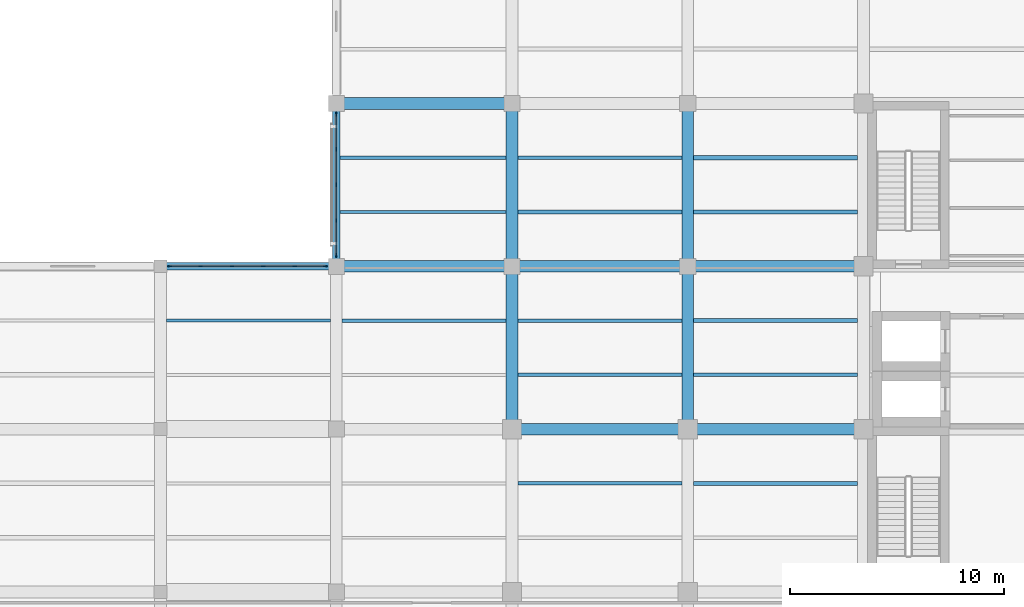
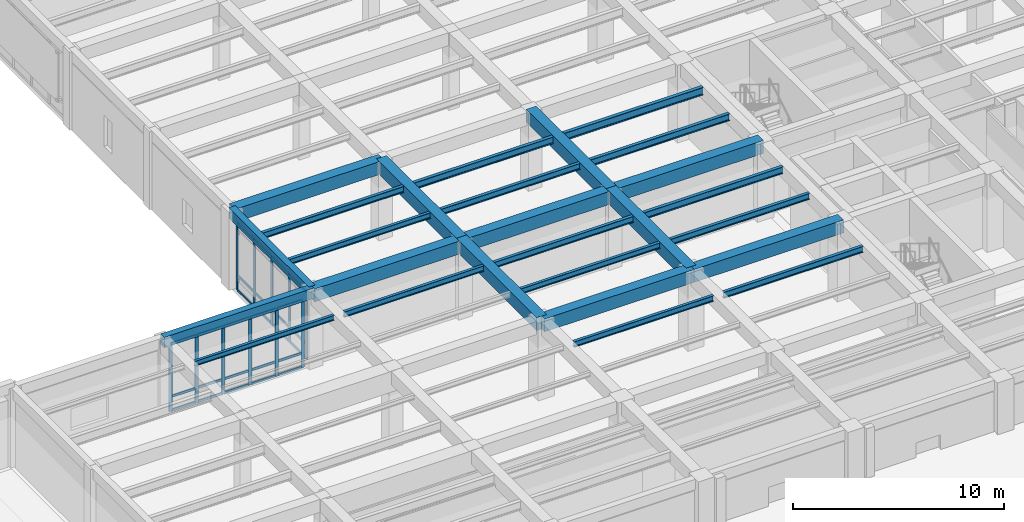
# One storey, part 10 of 57: 38 members, 26 beams, 2 elements without a shape of their own.
"""IFC4 building model written with IfcOpenShell, lengths in metres."""

from ifc_helpers import new_model, si_unit, direction, frame, origin, origin_2d, place, context, subcontext, project, spatial, rectangle, i_section, extrude, material, material_profile, profile_set, type_object, element, aggregate, save


model = new_model("IFC4")

# Units and contexts
model_context = context("Model", 3, precision=1e-05, world=origin(), true_north=direction((0.0, 1.0)))
body_context = subcontext(model_context, "Body", "Model", "MODEL_VIEW")
ifc_project = project(units=[si_unit("LENGTHUNIT", "METRE"), si_unit("AREAUNIT", "SQUARE_METRE"), si_unit("VOLUMEUNIT", "CUBIC_METRE"), si_unit("PLANEANGLEUNIT", "RADIAN"), si_unit("MASSUNIT", "GRAM", prefix="KILO")], contexts=[model_context])

# Site, building, storey
site_placement = place(None, origin())
site = spatial("IfcSite", under=ifc_project, at=site_placement, CompositionType="ELEMENT")
building_placement = place(site_placement, origin())
building = spatial("IfcBuilding", under=site, at=building_placement, Name="Qandaris Square Conservatory and Botanical Centre", CompositionType="ELEMENT")
storey_placement = place(building_placement, frame((0.0, 0.0, 5.39990234375)))
storey = spatial("IfcBuildingStorey", under=building, at=storey_placement, Name="L01", CompositionType="ELEMENT", Elevation=5.39990234375)

# Beams
ifc_material_1 = material(Name="Steel S355", Category="steel")
ifc_material_profile_1 = material_profile(ifc_material_1, i_section(OverallWidth=0.18994140625, OverallDepth=0.449951171875, WebThickness=0.009521484375, FlangeThickness=0.0146484375, FilletRadius=0.02099609375, at=origin_2d()), Name="IPE 450")
ifc_profile_set_1 = profile_set([ifc_material_profile_1], Name="Steel S355")
beam_type_1 = type_object("IfcBeamType", Name="Composite Archive Joist IPE 450", PredefinedType="JOIST", material=ifc_profile_set_1)
beam_1_placement = place(storey_placement, frame((131.27490234375, 44.466796875, 4.28515625), z_axis=(1.0, 0.0, 0.0), x_axis=(0.0, 1.0, 0.0)))
element("IfcBeam", 1, at=beam_1_placement, inside=storey, type_object=beam_type_1, Name="L01 Composite Joist 1218", PredefinedType="JOIST", context=body_context, shape_type="SweptSolid", body=[
    extrude(i_section(OverallWidth=0.18994140625, OverallDepth=0.449951171875, WebThickness=0.009521484375, FlangeThickness=0.0146484375, FilletRadius=0.02099609375, at=origin_2d()), origin(), (0.0, 0.0, 1.0), 7.650146484375),
])
ifc_material_profile_2 = material_profile(ifc_material_1, i_section(OverallWidth=0.14990234375, OverallDepth=0.300048828125, WebThickness=0.007080078125, FlangeThickness=0.0107421875, FilletRadius=0.014892578125, at=origin_2d()), Name="IPE 300")
ifc_profile_set_2 = profile_set([ifc_material_profile_2], Name="Steel S355")
beam_type_2 = type_object("IfcBeamType", Name="Composite Lab Joist IPE 300", PredefinedType="JOIST", material=ifc_profile_set_2)
beam_2_placement = place(storey_placement, frame((106.675048828125, 36.86669921875, 4.360107421875), z_axis=(1.0, 0.0, 0.0), x_axis=(0.0, 1.0, 0.0)))
element("IfcBeam", 2, at=beam_2_placement, inside=storey, type_object=beam_type_2, Name="L01 Composite Joist 1166", PredefinedType="JOIST", context=body_context, shape_type="SweptSolid", body=[
    extrude(i_section(OverallWidth=0.14990234375, OverallDepth=0.300048828125, WebThickness=0.007080078125, FlangeThickness=0.0107421875, FilletRadius=0.014892578125, at=origin_2d()), origin(), (0.0, 0.0, 1.0), 7.64990234375),
])
ifc_material_profile_3 = material_profile(ifc_material_1, i_section(OverallWidth=0.159912109375, OverallDepth=0.330078125, WebThickness=0.007568359375, FlangeThickness=0.011474609375, FilletRadius=0.01806640625, at=origin_2d()), Name="IPE 330")
ifc_profile_set_3 = profile_set([ifc_material_profile_3], Name="Steel S355")
beam_type_3 = type_object("IfcBeamType", Name="Composite Lab Joist IPE 330", PredefinedType="JOIST", material=ifc_profile_set_3)
beam_3_placement = place(storey_placement, frame((114.875, 36.86669921875, 4.34521484375), z_axis=(1.0, 0.0, 0.0), x_axis=(0.0, 1.0, 0.0)))
element("IfcBeam", 3, at=beam_3_placement, inside=storey, type_object=beam_type_3, Name="L01 Composite Joist 1172", PredefinedType="JOIST", context=body_context, shape_type="SweptSolid", body=[
    extrude(i_section(OverallWidth=0.159912109375, OverallDepth=0.330078125, WebThickness=0.007568359375, FlangeThickness=0.011474609375, FilletRadius=0.01806640625, at=origin_2d()), origin(), (0.0, 0.0, 1.0), 7.64990234375),
])
beam_4_placement = place(storey_placement, frame((114.77490234375, 41.933349609375, 4.34521484375), z_axis=(1.0, 0.0, 0.0), x_axis=(0.0, 1.0, 0.0)))
element("IfcBeam", 4, at=beam_4_placement, inside=storey, type_object=beam_type_3, Name="L01 Composite Joist 1173", PredefinedType="JOIST", context=body_context, shape_type="SweptSolid", body=[
    extrude(i_section(OverallWidth=0.159912109375, OverallDepth=0.330078125, WebThickness=0.007568359375, FlangeThickness=0.011474609375, FilletRadius=0.01806640625, at=origin_2d()), origin(), (0.0, 0.0, 1.0), 7.75),
])
for number, where, z_axis, x_axis, name in (
    (5, (123.074951171875, 29.2666015625, 4.34521484375), (1.0, 0.0, 0.0), (0.0, 1.0, 0.0), "L01 Composite Joist 1192"),
    (6, (123.074951171875, 34.333251953125, 4.34521484375), (1.0, 0.0, 0.0), (0.0, 1.0, 0.0), "L01 Composite Joist 1193"),
):
    element("IfcBeam", number, at=place(storey_placement, frame(where, z_axis=z_axis, x_axis=x_axis)), inside=storey, type_object=beam_type_3, Name=name, PredefinedType="JOIST", context=body_context, shape_type="SweptSolid", body=[
        extrude(i_section(OverallWidth=0.159912109375, OverallDepth=0.330078125, WebThickness=0.007568359375, FlangeThickness=0.011474609375, FilletRadius=0.01806640625, at=origin_2d()), origin(), (0.0, 0.0, 1.0), 7.650146484375),
    ])
ifc_material_profile_4 = material_profile(ifc_material_1, i_section(OverallWidth=0.169921875, OverallDepth=0.360107421875, WebThickness=0.008056640625, FlangeThickness=0.0126953125, FilletRadius=0.01806640625, at=origin_2d()), Name="IPE 360")
ifc_profile_set_4 = profile_set([ifc_material_profile_4], Name="Steel S355")
beam_type_4 = type_object("IfcBeamType", Name="Composite Lab Joist IPE 360", PredefinedType="JOIST", material=ifc_profile_set_4)
beam_5_placement = place(storey_placement, frame((114.77490234375, 44.466796875, 4.330078125), z_axis=(1.0, 0.0, 0.0), x_axis=(0.0, 1.0, 0.0)))
element("IfcBeam", 7, at=beam_5_placement, inside=storey, type_object=beam_type_4, Name="L01 Composite Joist 1174", PredefinedType="JOIST", context=body_context, shape_type="SweptSolid", body=[
    extrude(i_section(OverallWidth=0.169921875, OverallDepth=0.360107421875, WebThickness=0.008056640625, FlangeThickness=0.0126953125, FilletRadius=0.01806640625, at=origin_2d()), origin(), (0.0, 0.0, 1.0), 7.75),
])
for number, where, z_axis, x_axis, name in (
    (8, (123.074951171875, 36.86669921875, 4.330078125), (1.0, 0.0, 0.0), (0.0, 1.0, 0.0), "L01 Composite Joist 1194"),
    (9, (123.074951171875, 41.933349609375, 4.330078125), (1.0, 0.0, 0.0), (0.0, 1.0, 0.0), "L01 Composite Joist 1195"),
    (10, (131.27490234375, 29.2666015625, 4.330078125), (1.0, 0.0, 0.0), (0.0, 1.0, 0.0), "L01 Composite Joist 1214"),
    (11, (131.27490234375, 34.333251953125, 4.330078125), (1.0, 0.0, 0.0), (0.0, 1.0, 0.0), "L01 Composite Joist 1215"),
):
    element("IfcBeam", number, at=place(storey_placement, frame(where, z_axis=z_axis, x_axis=x_axis)), inside=storey, type_object=beam_type_4, Name=name, PredefinedType="JOIST", context=body_context, shape_type="SweptSolid", body=[
        extrude(i_section(OverallWidth=0.169921875, OverallDepth=0.360107421875, WebThickness=0.008056640625, FlangeThickness=0.0126953125, FilletRadius=0.01806640625, at=origin_2d()), origin(), (0.0, 0.0, 1.0), 7.650146484375),
    ])
ifc_material_profile_5 = material_profile(ifc_material_1, i_section(OverallWidth=0.179931640625, OverallDepth=0.39990234375, WebThickness=0.008544921875, FlangeThickness=0.013427734375, FilletRadius=0.02099609375, at=origin_2d()), Name="IPE 400")
ifc_profile_set_5 = profile_set([ifc_material_profile_5], Name="Steel S355")
beam_type_5 = type_object("IfcBeamType", Name="Composite Plinth Joist IPE 400", PredefinedType="JOIST", material=ifc_profile_set_5)
for number, where, z_axis, x_axis, name in (
    (12, (123.074951171875, 44.466796875, 4.31005859375), (1.0, 0.0, 0.0), (0.0, 1.0, 0.0), "L01 Composite Joist 1196"),
    (13, (131.27490234375, 36.86669921875, 4.31005859375), (1.0, 0.0, 0.0), (0.0, 1.0, 0.0), "L01 Composite Joist 1216"),
    (14, (131.27490234375, 41.933349609375, 4.31005859375), (1.0, 0.0, 0.0), (0.0, 1.0, 0.0), "L01 Composite Joist 1217"),
):
    element("IfcBeam", number, at=place(storey_placement, frame(where, z_axis=z_axis, x_axis=x_axis)), inside=storey, type_object=beam_type_5, Name=name, PredefinedType="JOIST", context=body_context, shape_type="SweptSolid", body=[
        extrude(i_section(OverallWidth=0.179931640625, OverallDepth=0.39990234375, WebThickness=0.008544921875, FlangeThickness=0.013427734375, FilletRadius=0.02099609375, at=origin_2d()), origin(), (0.0, 0.0, 1.0), 7.650146484375),
    ])

# Curtain wall, members
ifc_material_2 = material(Name="Anodised Aluminium", Category="aluminium")
curtain_wall_type_1 = type_object("IfcCurtainWallType", Name="Unitised Curtain Wall CW-4-665x392", PredefinedType="USERDEFINED", material=ifc_material_2)
curtain_wall_1_placement = place(storey_placement, origin())
curtain_wall_1 = element("IfcCurtainWall", 15, at=curtain_wall_1_placement, inside=storey, type_object=curtain_wall_type_1, Name="Curtain Wall CW-TWR-L01-4-9", ObjectType="GLAZED CURTAIN WALL", PredefinedType="USERDEFINED")
ifc_material_profile_6 = material_profile(ifc_material_2, rectangle(XDim=0.06494140625, YDim=0.179931640625, at=origin_2d()), Name="ALU-MUL 65x180")
ifc_profile_set_6 = profile_set([ifc_material_profile_6], Name="Anodised Aluminium")
member_type_1 = type_object("IfcMemberType", Name="Curtain Wall Mullion 65x180", PredefinedType="MULLION", material=ifc_profile_set_6)
member_1_placement = place(storey_placement, frame((114.60009765625, 46.492431640625, 0.0), z_axis=(0.0, 0.0, 1.0), x_axis=(1.0, 0.0, 0.0)))
member_1 = element("IfcMember", 16, at=member_1_placement, type_object=member_type_1, Name="CW-4-665x392 mullion 1", PredefinedType="MULLION", context=body_context, shape_type="SweptSolid", body=[
    extrude(rectangle(XDim=0.06494140625, YDim=0.179931640625, at=origin_2d()), origin(), (0.0, 0.0, 1.0), 3.920166015625),
])
member_2_placement = place(storey_placement, frame((114.60009765625, 44.862548828125, 0.0), z_axis=(0.0, 0.0, 1.0), x_axis=(1.0, 0.0, 0.0)))
member_2 = element("IfcMember", 17, at=member_2_placement, type_object=member_type_1, Name="CW-4-665x392 mullion 2", PredefinedType="MULLION", context=body_context, shape_type="SweptSolid", body=[
    extrude(rectangle(XDim=0.06494140625, YDim=0.179931640625, at=origin_2d()), origin(), (0.0, 0.0, 1.0), 3.920166015625),
])
member_3_placement = place(storey_placement, frame((114.60009765625, 43.199951171875, 0.0), z_axis=(0.0, 0.0, 1.0), x_axis=(1.0, 0.0, 0.0)))
member_3 = element("IfcMember", 18, at=member_3_placement, type_object=member_type_1, Name="CW-4-665x392 mullion 3", PredefinedType="MULLION", context=body_context, shape_type="SweptSolid", body=[
    extrude(rectangle(XDim=0.06494140625, YDim=0.179931640625, at=origin_2d()), origin(), (0.0, 0.0, 1.0), 3.920166015625),
])
member_4_placement = place(storey_placement, frame((114.60009765625, 41.53759765625, 0.0), z_axis=(0.0, 0.0, 1.0), x_axis=(1.0, 0.0, 0.0)))
member_4 = element("IfcMember", 19, at=member_4_placement, type_object=member_type_1, Name="CW-4-665x392 mullion 4", PredefinedType="MULLION", context=body_context, shape_type="SweptSolid", body=[
    extrude(rectangle(XDim=0.06494140625, YDim=0.179931640625, at=origin_2d()), origin(), (0.0, 0.0, 1.0), 3.920166015625),
])
member_5_placement = place(storey_placement, frame((114.60009765625, 39.907470703125, 0.0), z_axis=(0.0, 0.0, 1.0), x_axis=(1.0, 0.0, 0.0)))
member_5 = element("IfcMember", 20, at=member_5_placement, type_object=member_type_1, Name="CW-4-665x392 mullion 5", PredefinedType="MULLION", context=body_context, shape_type="SweptSolid", body=[
    extrude(rectangle(XDim=0.06494140625, YDim=0.179931640625, at=origin_2d()), origin(), (0.0, 0.0, 1.0), 3.920166015625),
])

curtain_wall_type_2 = type_object("IfcCurtainWallType", Name="Unitised Curtain Wall CW-4-733x392", PredefinedType="USERDEFINED", material=ifc_material_2)
curtain_wall_2_placement = place(storey_placement, origin())
curtain_wall_2 = element("IfcCurtainWall", 21, at=curtain_wall_2_placement, inside=storey, type_object=curtain_wall_type_2, Name="Curtain Wall CW-TWR-L01-5-1", ObjectType="GLAZED CURTAIN WALL", PredefinedType="USERDEFINED")
member_6_placement = place(storey_placement, frame((114.092529296875, 39.39990234375, 0.0), z_axis=(0.0, 0.0, 1.0), x_axis=(0.0, -1.0, 0.0)))
member_6 = element("IfcMember", 22, at=member_6_placement, type_object=member_type_1, Name="CW-4-733x392 mullion 1", PredefinedType="MULLION", context=body_context, shape_type="SweptSolid", body=[
    extrude(rectangle(XDim=0.06494140625, YDim=0.179931640625, at=origin_2d()), origin(), (0.0, 0.0, 1.0), 3.920166015625),
])
member_7_placement = place(storey_placement, frame((112.659912109375, 39.39990234375, 0.0), z_axis=(0.0, 0.0, 1.0), x_axis=(0.0, -1.0, 0.0)))
member_7 = element("IfcMember", 23, at=member_7_placement, type_object=member_type_1, Name="CW-4-733x392 mullion 2", PredefinedType="MULLION", context=body_context, shape_type="SweptSolid", body=[
    extrude(rectangle(XDim=0.06494140625, YDim=0.179931640625, at=origin_2d()), origin(), (0.0, 0.0, 1.0), 3.920166015625),
])
member_8_placement = place(storey_placement, frame((111.195068359375, 39.39990234375, 0.0), z_axis=(0.0, 0.0, 1.0), x_axis=(0.0, -1.0, 0.0)))
member_8 = element("IfcMember", 24, at=member_8_placement, type_object=member_type_1, Name="CW-4-733x392 mullion 3", PredefinedType="MULLION", context=body_context, shape_type="SweptSolid", body=[
    extrude(rectangle(XDim=0.06494140625, YDim=0.179931640625, at=origin_2d()), origin(), (0.0, 0.0, 1.0), 3.920166015625),
])
member_9_placement = place(storey_placement, frame((109.72998046875, 39.39990234375, 0.0), z_axis=(0.0, 0.0, 1.0), x_axis=(0.0, -1.0, 0.0)))
member_9 = element("IfcMember", 25, at=member_9_placement, type_object=member_type_1, Name="CW-4-733x392 mullion 4", PredefinedType="MULLION", context=body_context, shape_type="SweptSolid", body=[
    extrude(rectangle(XDim=0.06494140625, YDim=0.179931640625, at=origin_2d()), origin(), (0.0, 0.0, 1.0), 3.920166015625),
])
member_10_placement = place(storey_placement, frame((108.264892578125, 39.39990234375, 0.0), z_axis=(0.0, 0.0, 1.0), x_axis=(0.0, -1.0, 0.0)))
member_10 = element("IfcMember", 26, at=member_10_placement, type_object=member_type_1, Name="CW-4-733x392 mullion 5", PredefinedType="MULLION", context=body_context, shape_type="SweptSolid", body=[
    extrude(rectangle(XDim=0.06494140625, YDim=0.179931640625, at=origin_2d()), origin(), (0.0, 0.0, 1.0), 3.920166015625),
])
member_11_placement = place(storey_placement, frame((106.83251953125, 39.39990234375, 0.0), z_axis=(0.0, 0.0, 1.0), x_axis=(0.0, -1.0, 0.0)))
member_11 = element("IfcMember", 27, at=member_11_placement, type_object=member_type_1, Name="CW-4-733x392 mullion 6", PredefinedType="MULLION", context=body_context, shape_type="SweptSolid", body=[
    extrude(rectangle(XDim=0.06494140625, YDim=0.179931640625, at=origin_2d()), origin(), (0.0, 0.0, 1.0), 3.920166015625),
])

# Member
ifc_material_profile_7 = material_profile(ifc_material_2, rectangle(XDim=0.06494140625, YDim=0.139892578125, at=origin_2d()), Name="ALU-TRN 65x140")
ifc_profile_set_7 = profile_set([ifc_material_profile_7], Name="Anodised Aluminium")
member_type_2 = type_object("IfcMemberType", Name="Curtain Wall Transom 65x140", PredefinedType="USERDEFINED", material=ifc_profile_set_7)
member_12_placement = place(storey_placement, frame((114.60009765625, 46.4599609375, 0.03271484375), z_axis=(0.0, -1.0, 0.0), x_axis=(1.0, 0.0, 0.0)))
member_12 = element("IfcMember", 28, at=member_12_placement, type_object=member_type_2, Name="CW-4-665x392 transom 1.1", ObjectType="TRANSOM", PredefinedType="USERDEFINED", context=body_context, shape_type="SweptSolid", body=[
    extrude(rectangle(XDim=0.06494140625, YDim=0.139892578125, at=origin_2d()), origin(), (0.0, 0.0, 1.0), 1.56494140625),
])

member_13_placement = place(storey_placement, frame((114.60009765625, 46.4599609375, 0.85009765625), z_axis=(0.0, -1.0, 0.0), x_axis=(1.0, 0.0, 0.0)))
member_13 = element("IfcMember", 29, at=member_13_placement, type_object=member_type_2, Name="CW-4-665x392 transom 1.2", ObjectType="TRANSOM", PredefinedType="USERDEFINED", context=body_context, shape_type="SweptSolid", body=[
    extrude(rectangle(XDim=0.06494140625, YDim=0.139892578125, at=origin_2d()), origin(), (0.0, 0.0, 1.0), 1.56494140625),
])

member_14_placement = place(storey_placement, frame((114.60009765625, 46.4599609375, 3.8876953125), z_axis=(0.0, -1.0, 0.0), x_axis=(1.0, 0.0, 0.0)))
member_14 = element("IfcMember", 30, at=member_14_placement, type_object=member_type_2, Name="CW-4-665x392 transom 1.3", ObjectType="TRANSOM", PredefinedType="USERDEFINED", context=body_context, shape_type="SweptSolid", body=[
    extrude(rectangle(XDim=0.06494140625, YDim=0.139892578125, at=origin_2d()), origin(), (0.0, 0.0, 1.0), 1.56494140625),
])

member_15_placement = place(storey_placement, frame((114.60009765625, 44.830078125, 0.03271484375), z_axis=(0.0, -1.0, 0.0), x_axis=(1.0, 0.0, 0.0)))
member_15 = element("IfcMember", 31, at=member_15_placement, type_object=member_type_2, Name="CW-4-665x392 transom 2.1", ObjectType="TRANSOM", PredefinedType="USERDEFINED", context=body_context, shape_type="SweptSolid", body=[
    extrude(rectangle(XDim=0.06494140625, YDim=0.139892578125, at=origin_2d()), origin(), (0.0, 0.0, 1.0), 1.59765625),
])

member_16_placement = place(storey_placement, frame((114.60009765625, 44.830078125, 0.85009765625), z_axis=(0.0, -1.0, 0.0), x_axis=(1.0, 0.0, 0.0)))
member_16 = element("IfcMember", 32, at=member_16_placement, type_object=member_type_2, Name="CW-4-665x392 transom 2.2", ObjectType="TRANSOM", PredefinedType="USERDEFINED", context=body_context, shape_type="SweptSolid", body=[
    extrude(rectangle(XDim=0.06494140625, YDim=0.139892578125, at=origin_2d()), origin(), (0.0, 0.0, 1.0), 1.59765625),
])

member_17_placement = place(storey_placement, frame((114.60009765625, 44.830078125, 3.8876953125), z_axis=(0.0, -1.0, 0.0), x_axis=(1.0, 0.0, 0.0)))
member_17 = element("IfcMember", 33, at=member_17_placement, type_object=member_type_2, Name="CW-4-665x392 transom 2.3", ObjectType="TRANSOM", PredefinedType="USERDEFINED", context=body_context, shape_type="SweptSolid", body=[
    extrude(rectangle(XDim=0.06494140625, YDim=0.139892578125, at=origin_2d()), origin(), (0.0, 0.0, 1.0), 1.59765625),
])

member_18_placement = place(storey_placement, frame((114.60009765625, 43.16748046875, 0.03271484375), z_axis=(0.0, -1.0, 0.0), x_axis=(1.0, 0.0, 0.0)))
member_18 = element("IfcMember", 34, at=member_18_placement, type_object=member_type_2, Name="CW-4-665x392 transom 3.1", ObjectType="TRANSOM", PredefinedType="USERDEFINED", context=body_context, shape_type="SweptSolid", body=[
    extrude(rectangle(XDim=0.06494140625, YDim=0.139892578125, at=origin_2d()), origin(), (0.0, 0.0, 1.0), 1.597412109375),
])

member_19_placement = place(storey_placement, frame((114.60009765625, 43.16748046875, 0.85009765625), z_axis=(0.0, -1.0, 0.0), x_axis=(1.0, 0.0, 0.0)))
member_19 = element("IfcMember", 35, at=member_19_placement, type_object=member_type_2, Name="CW-4-665x392 transom 3.2", ObjectType="TRANSOM", PredefinedType="USERDEFINED", context=body_context, shape_type="SweptSolid", body=[
    extrude(rectangle(XDim=0.06494140625, YDim=0.139892578125, at=origin_2d()), origin(), (0.0, 0.0, 1.0), 1.597412109375),
])

member_20_placement = place(storey_placement, frame((114.60009765625, 43.16748046875, 3.8876953125), z_axis=(0.0, -1.0, 0.0), x_axis=(1.0, 0.0, 0.0)))
member_20 = element("IfcMember", 36, at=member_20_placement, type_object=member_type_2, Name="CW-4-665x392 transom 3.3", ObjectType="TRANSOM", PredefinedType="USERDEFINED", context=body_context, shape_type="SweptSolid", body=[
    extrude(rectangle(XDim=0.06494140625, YDim=0.139892578125, at=origin_2d()), origin(), (0.0, 0.0, 1.0), 1.597412109375),
])

member_21_placement = place(storey_placement, frame((114.60009765625, 41.5048828125, 0.03271484375), z_axis=(0.0, -1.0, 0.0), x_axis=(1.0, 0.0, 0.0)))
member_21 = element("IfcMember", 37, at=member_21_placement, type_object=member_type_2, Name="CW-4-665x392 transom 4.1", ObjectType="TRANSOM", PredefinedType="USERDEFINED", context=body_context, shape_type="SweptSolid", body=[
    extrude(rectangle(XDim=0.06494140625, YDim=0.139892578125, at=origin_2d()), origin(), (0.0, 0.0, 1.0), 1.56494140625),
])

member_22_placement = place(storey_placement, frame((114.60009765625, 41.5048828125, 0.85009765625), z_axis=(0.0, -1.0, 0.0), x_axis=(1.0, 0.0, 0.0)))
member_22 = element("IfcMember", 38, at=member_22_placement, type_object=member_type_2, Name="CW-4-665x392 transom 4.2", ObjectType="TRANSOM", PredefinedType="USERDEFINED", context=body_context, shape_type="SweptSolid", body=[
    extrude(rectangle(XDim=0.06494140625, YDim=0.139892578125, at=origin_2d()), origin(), (0.0, 0.0, 1.0), 1.56494140625),
])

member_23_placement = place(storey_placement, frame((114.60009765625, 41.5048828125, 3.8876953125), z_axis=(0.0, -1.0, 0.0), x_axis=(1.0, 0.0, 0.0)))
member_23 = element("IfcMember", 39, at=member_23_placement, type_object=member_type_2, Name="CW-4-665x392 transom 4.3", ObjectType="TRANSOM", PredefinedType="USERDEFINED", context=body_context, shape_type="SweptSolid", body=[
    extrude(rectangle(XDim=0.06494140625, YDim=0.139892578125, at=origin_2d()), origin(), (0.0, 0.0, 1.0), 1.56494140625),
])

aggregate(curtain_wall_1, [member_1, member_2, member_3, member_4, member_5, member_12, member_13, member_14, member_15, member_16, member_17, member_18, member_19, member_20, member_21, member_22, member_23])

member_24_placement = place(storey_placement, frame((114.06005859375, 39.39990234375, 0.03271484375), z_axis=(-1.0, 0.0, 0.0), x_axis=(0.0, -1.0, 0.0)))
member_24 = element("IfcMember", 40, at=member_24_placement, type_object=member_type_2, Name="CW-4-733x392 transom 1.1", ObjectType="TRANSOM", PredefinedType="USERDEFINED", context=body_context, shape_type="SweptSolid", body=[
    extrude(rectangle(XDim=0.06494140625, YDim=0.139892578125, at=origin_2d()), origin(), (0.0, 0.0, 1.0), 1.36767578125),
])

member_25_placement = place(storey_placement, frame((114.06005859375, 39.39990234375, 0.85009765625), z_axis=(-1.0, 0.0, 0.0), x_axis=(0.0, -1.0, 0.0)))
member_25 = element("IfcMember", 41, at=member_25_placement, type_object=member_type_2, Name="CW-4-733x392 transom 1.2", ObjectType="TRANSOM", PredefinedType="USERDEFINED", context=body_context, shape_type="SweptSolid", body=[
    extrude(rectangle(XDim=0.06494140625, YDim=0.139892578125, at=origin_2d()), origin(), (0.0, 0.0, 1.0), 1.36767578125),
])

member_26_placement = place(storey_placement, frame((114.06005859375, 39.39990234375, 3.8876953125), z_axis=(-1.0, 0.0, 0.0), x_axis=(0.0, -1.0, 0.0)))
member_26 = element("IfcMember", 42, at=member_26_placement, type_object=member_type_2, Name="CW-4-733x392 transom 1.3", ObjectType="TRANSOM", PredefinedType="USERDEFINED", context=body_context, shape_type="SweptSolid", body=[
    extrude(rectangle(XDim=0.06494140625, YDim=0.139892578125, at=origin_2d()), origin(), (0.0, 0.0, 1.0), 1.36767578125),
])

member_27_placement = place(storey_placement, frame((112.62744140625, 39.39990234375, 0.03271484375), z_axis=(-1.0, 0.0, 0.0), x_axis=(0.0, -1.0, 0.0)))
member_27 = element("IfcMember", 43, at=member_27_placement, type_object=member_type_2, Name="CW-4-733x392 transom 2.1", ObjectType="TRANSOM", PredefinedType="USERDEFINED", context=body_context, shape_type="SweptSolid", body=[
    extrude(rectangle(XDim=0.06494140625, YDim=0.139892578125, at=origin_2d()), origin(), (0.0, 0.0, 1.0), 1.39990234375),
])

member_28_placement = place(storey_placement, frame((112.62744140625, 39.39990234375, 0.85009765625), z_axis=(-1.0, 0.0, 0.0), x_axis=(0.0, -1.0, 0.0)))
member_28 = element("IfcMember", 44, at=member_28_placement, type_object=member_type_2, Name="CW-4-733x392 transom 2.2", ObjectType="TRANSOM", PredefinedType="USERDEFINED", context=body_context, shape_type="SweptSolid", body=[
    extrude(rectangle(XDim=0.06494140625, YDim=0.139892578125, at=origin_2d()), origin(), (0.0, 0.0, 1.0), 1.39990234375),
])

member_29_placement = place(storey_placement, frame((112.62744140625, 39.39990234375, 3.8876953125), z_axis=(-1.0, 0.0, 0.0), x_axis=(0.0, -1.0, 0.0)))
member_29 = element("IfcMember", 45, at=member_29_placement, type_object=member_type_2, Name="CW-4-733x392 transom 2.3", ObjectType="TRANSOM", PredefinedType="USERDEFINED", context=body_context, shape_type="SweptSolid", body=[
    extrude(rectangle(XDim=0.06494140625, YDim=0.139892578125, at=origin_2d()), origin(), (0.0, 0.0, 1.0), 1.39990234375),
])

member_30_placement = place(storey_placement, frame((111.16259765625, 39.39990234375, 0.03271484375), z_axis=(-1.0, 0.0, 0.0), x_axis=(0.0, -1.0, 0.0)))
member_30 = element("IfcMember", 46, at=member_30_placement, type_object=member_type_2, Name="CW-4-733x392 transom 3.1", ObjectType="TRANSOM", PredefinedType="USERDEFINED", context=body_context, shape_type="SweptSolid", body=[
    extrude(rectangle(XDim=0.06494140625, YDim=0.139892578125, at=origin_2d()), origin(), (0.0, 0.0, 1.0), 1.400146484375),
])

member_31_placement = place(storey_placement, frame((111.16259765625, 39.39990234375, 0.85009765625), z_axis=(-1.0, 0.0, 0.0), x_axis=(0.0, -1.0, 0.0)))
member_31 = element("IfcMember", 47, at=member_31_placement, type_object=member_type_2, Name="CW-4-733x392 transom 3.2", ObjectType="TRANSOM", PredefinedType="USERDEFINED", context=body_context, shape_type="SweptSolid", body=[
    extrude(rectangle(XDim=0.06494140625, YDim=0.139892578125, at=origin_2d()), origin(), (0.0, 0.0, 1.0), 1.400146484375),
])

member_32_placement = place(storey_placement, frame((111.16259765625, 39.39990234375, 3.8876953125), z_axis=(-1.0, 0.0, 0.0), x_axis=(0.0, -1.0, 0.0)))
member_32 = element("IfcMember", 48, at=member_32_placement, type_object=member_type_2, Name="CW-4-733x392 transom 3.3", ObjectType="TRANSOM", PredefinedType="USERDEFINED", context=body_context, shape_type="SweptSolid", body=[
    extrude(rectangle(XDim=0.06494140625, YDim=0.139892578125, at=origin_2d()), origin(), (0.0, 0.0, 1.0), 1.400146484375),
])

member_33_placement = place(storey_placement, frame((109.697509765625, 39.39990234375, 0.03271484375), z_axis=(-1.0, 0.0, 0.0), x_axis=(0.0, -1.0, 0.0)))
member_33 = element("IfcMember", 49, at=member_33_placement, type_object=member_type_2, Name="CW-4-733x392 transom 4.1", ObjectType="TRANSOM", PredefinedType="USERDEFINED", context=body_context, shape_type="SweptSolid", body=[
    extrude(rectangle(XDim=0.06494140625, YDim=0.139892578125, at=origin_2d()), origin(), (0.0, 0.0, 1.0), 1.39990234375),
])

member_34_placement = place(storey_placement, frame((109.697509765625, 39.39990234375, 0.85009765625), z_axis=(-1.0, 0.0, 0.0), x_axis=(0.0, -1.0, 0.0)))
member_34 = element("IfcMember", 50, at=member_34_placement, type_object=member_type_2, Name="CW-4-733x392 transom 4.2", ObjectType="TRANSOM", PredefinedType="USERDEFINED", context=body_context, shape_type="SweptSolid", body=[
    extrude(rectangle(XDim=0.06494140625, YDim=0.139892578125, at=origin_2d()), origin(), (0.0, 0.0, 1.0), 1.39990234375),
])

member_35_placement = place(storey_placement, frame((109.697509765625, 39.39990234375, 3.8876953125), z_axis=(-1.0, 0.0, 0.0), x_axis=(0.0, -1.0, 0.0)))
member_35 = element("IfcMember", 51, at=member_35_placement, type_object=member_type_2, Name="CW-4-733x392 transom 4.3", ObjectType="TRANSOM", PredefinedType="USERDEFINED", context=body_context, shape_type="SweptSolid", body=[
    extrude(rectangle(XDim=0.06494140625, YDim=0.139892578125, at=origin_2d()), origin(), (0.0, 0.0, 1.0), 1.39990234375),
])

member_36_placement = place(storey_placement, frame((108.232421875, 39.39990234375, 0.03271484375), z_axis=(-1.0, 0.0, 0.0), x_axis=(0.0, -1.0, 0.0)))
member_36 = element("IfcMember", 52, at=member_36_placement, type_object=member_type_2, Name="CW-4-733x392 transom 5.1", ObjectType="TRANSOM", PredefinedType="USERDEFINED", context=body_context, shape_type="SweptSolid", body=[
    extrude(rectangle(XDim=0.06494140625, YDim=0.139892578125, at=origin_2d()), origin(), (0.0, 0.0, 1.0), 1.367431640625),
])

member_37_placement = place(storey_placement, frame((108.232421875, 39.39990234375, 0.85009765625), z_axis=(-1.0, 0.0, 0.0), x_axis=(0.0, -1.0, 0.0)))
member_37 = element("IfcMember", 53, at=member_37_placement, type_object=member_type_2, Name="CW-4-733x392 transom 5.2", ObjectType="TRANSOM", PredefinedType="USERDEFINED", context=body_context, shape_type="SweptSolid", body=[
    extrude(rectangle(XDim=0.06494140625, YDim=0.139892578125, at=origin_2d()), origin(), (0.0, 0.0, 1.0), 1.367431640625),
])

member_38_placement = place(storey_placement, frame((108.232421875, 39.39990234375, 3.8876953125), z_axis=(-1.0, 0.0, 0.0), x_axis=(0.0, -1.0, 0.0)))
member_38 = element("IfcMember", 54, at=member_38_placement, type_object=member_type_2, Name="CW-4-733x392 transom 5.3", ObjectType="TRANSOM", PredefinedType="USERDEFINED", context=body_context, shape_type="SweptSolid", body=[
    extrude(rectangle(XDim=0.06494140625, YDim=0.139892578125, at=origin_2d()), origin(), (0.0, 0.0, 1.0), 1.367431640625),
])

aggregate(curtain_wall_2, [member_6, member_7, member_8, member_9, member_10, member_11, member_24, member_25, member_26, member_27, member_28, member_29, member_30, member_31, member_32, member_33, member_34, member_35, member_36, member_37, member_38])

# Beams
ifc_material_3 = material(Name="Concrete C50/60", Category="concrete")
ifc_material_profile_8 = material_profile(ifc_material_3, rectangle(XDim=0.35009765625, YDim=0.60009765625, at=origin_2d()), Name="RC-SP 350x600")
ifc_profile_set_8 = profile_set([ifc_material_profile_8], Name="Concrete C50/60")
beam_type_6 = type_object("IfcBeamType", Name="RC Edge Spandrel Beam 350x600", PredefinedType="SPANDREL", material=ifc_profile_set_8)
beam_6_placement = place(storey_placement, frame((106.39990234375, 39.39990234375, 4.22021484375), z_axis=(1.0, 0.0, 0.0), x_axis=(0.0, 1.0, 0.0)))
element("IfcBeam", 55, at=beam_6_placement, inside=storey, type_object=beam_type_6, Name="L01 Frame Beam 0940", PredefinedType="SPANDREL", context=body_context, shape_type="SweptSolid", body=[
    extrude(rectangle(XDim=0.35009765625, YDim=0.60009765625, at=origin_2d()), origin(), (0.0, 0.0, 1.0), 8.2001953125),
])
beam_7_placement = place(storey_placement, frame((114.60009765625, 39.39990234375, 4.22021484375), z_axis=(0.0, 1.0, 0.0), x_axis=(-1.0, 0.0, 0.0)))
element("IfcBeam", 56, at=beam_7_placement, inside=storey, type_object=beam_type_6, Name="L01 Frame Beam 1073", PredefinedType="SPANDREL", context=body_context, shape_type="SweptSolid", body=[
    extrude(rectangle(XDim=0.35009765625, YDim=0.60009765625, at=origin_2d()), origin(), (0.0, 0.0, 1.0), 7.60009765625),
])
ifc_material_profile_9 = material_profile(ifc_material_3, rectangle(XDim=0.550048828125, YDim=0.75, at=origin_2d()), Name="RC-BM 550x750")
ifc_profile_set_9 = profile_set([ifc_material_profile_9], Name="Concrete C50/60")
beam_type_7 = type_object("IfcBeamType", Name="RC Plinth Girder 550x750", PredefinedType="BEAM", material=ifc_profile_set_9)
for number, where, z_axis, x_axis, name in (
    (57, (122.800048828125, 31.800048828125, 4.14501953125), (1.0, 0.0, 0.0), (0.0, 1.0, 0.0), "L01 Frame Beam 0928"),
    (58, (131.0, 31.800048828125, 4.14501953125), (1.0, 0.0, 0.0), (0.0, 1.0, 0.0), "L01 Frame Beam 0929"),
    (59, (114.60009765625, 39.39990234375, 4.14501953125), (1.0, 0.0, 0.0), (0.0, 1.0, 0.0), "L01 Frame Beam 0941"),
    (60, (122.800048828125, 39.39990234375, 4.14501953125), (1.0, 0.0, 0.0), (0.0, 1.0, 0.0), "L01 Frame Beam 0942"),
    (61, (131.0, 39.39990234375, 4.14501953125), (1.0, 0.0, 0.0), (0.0, 1.0, 0.0), "L01 Frame Beam 0943"),
    (62, (114.60009765625, 47.0, 4.14501953125), (1.0, 0.0, 0.0), (0.0, 1.0, 0.0), "L01 Frame Beam 0948"),
):
    element("IfcBeam", number, at=place(storey_placement, frame(where, z_axis=z_axis, x_axis=x_axis)), inside=storey, type_object=beam_type_7, Name=name, PredefinedType="BEAM", context=body_context, shape_type="SweptSolid", body=[
        extrude(rectangle(XDim=0.550048828125, YDim=0.75, at=origin_2d()), origin(), (0.0, 0.0, 1.0), 8.199951171875),
    ])
beam_8_placement = place(storey_placement, frame((122.800048828125, 31.800048828125, 4.14501953125), z_axis=(0.0, 1.0, 0.0), x_axis=(-1.0, 0.0, 0.0)))
element("IfcBeam", 63, at=beam_8_placement, inside=storey, type_object=beam_type_7, Name="L01 Frame Beam 1085", PredefinedType="BEAM", context=body_context, shape_type="SweptSolid", body=[
    extrude(rectangle(XDim=0.550048828125, YDim=0.75, at=origin_2d()), origin(), (0.0, 0.0, 1.0), 7.599853515625),
])
beam_9_placement = place(storey_placement, frame((122.800048828125, 39.39990234375, 4.14501953125), z_axis=(0.0, 1.0, 0.0), x_axis=(-1.0, 0.0, 0.0)))
element("IfcBeam", 64, at=beam_9_placement, inside=storey, type_object=beam_type_7, Name="L01 Frame Beam 1086", PredefinedType="BEAM", context=body_context, shape_type="SweptSolid", body=[
    extrude(rectangle(XDim=0.550048828125, YDim=0.75, at=origin_2d()), origin(), (0.0, 0.0, 1.0), 7.60009765625),
])
beam_10_placement = place(storey_placement, frame((131.0, 31.800048828125, 4.14501953125), z_axis=(0.0, 1.0, 0.0), x_axis=(-1.0, 0.0, 0.0)))
element("IfcBeam", 65, at=beam_10_placement, inside=storey, type_object=beam_type_7, Name="L01 Frame Beam 1097", PredefinedType="BEAM", context=body_context, shape_type="SweptSolid", body=[
    extrude(rectangle(XDim=0.550048828125, YDim=0.75, at=origin_2d()), origin(), (0.0, 0.0, 1.0), 7.599853515625),
])
beam_11_placement = place(storey_placement, frame((131.0, 39.39990234375, 4.14501953125), z_axis=(0.0, 1.0, 0.0), x_axis=(-1.0, 0.0, 0.0)))
element("IfcBeam", 66, at=beam_11_placement, inside=storey, type_object=beam_type_7, Name="L01 Frame Beam 1098", PredefinedType="BEAM", context=body_context, shape_type="SweptSolid", body=[
    extrude(rectangle(XDim=0.550048828125, YDim=0.75, at=origin_2d()), origin(), (0.0, 0.0, 1.0), 7.60009765625),
])

save(model, "model.ifc")
